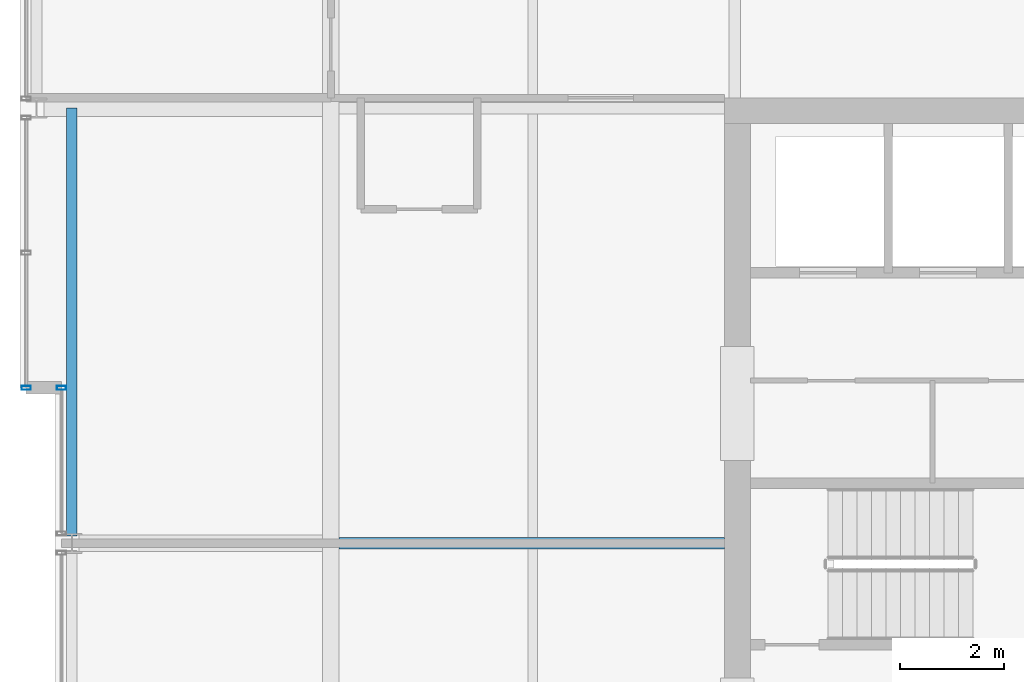
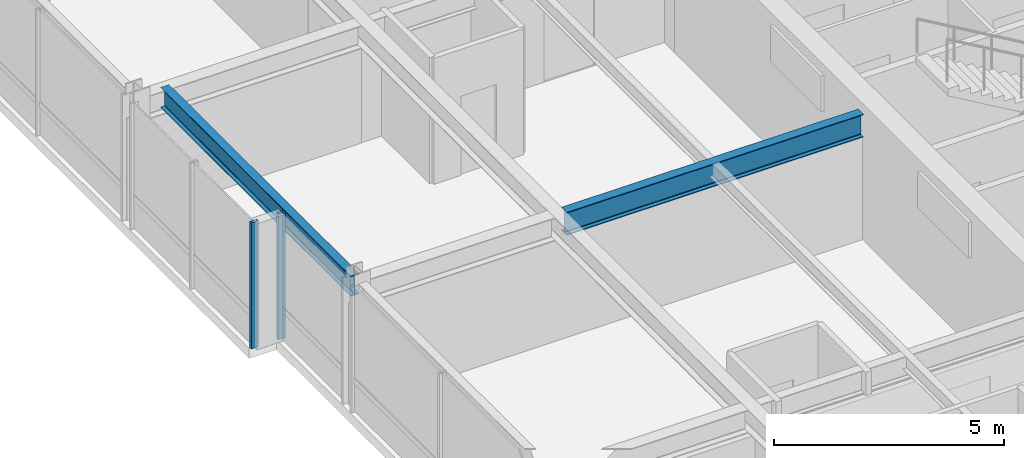
# One storey, part 11 of 34: 2 beams, 2 members, 2 elements without a shape of their own.
"""IFC4 building model written with IfcOpenShell, lengths in metres."""

from ifc_helpers import new_model, si_unit, direction, frame, origin, origin_2d, place, context, subcontext, project, spatial, hollow_rectangle, i_section, extrude, material, layer, layer_set, material_profile, profile_set, type_object, element, aggregate, save


model = new_model("IFC4")

# Units and contexts
model_context = context("Model", 3, precision=1e-05, world=origin(), true_north=direction((0.0, 1.0)))
body_context = subcontext(model_context, "Body", "Model", "MODEL_VIEW")
ifc_project = project(units=[si_unit("LENGTHUNIT", "METRE"), si_unit("AREAUNIT", "SQUARE_METRE"), si_unit("VOLUMEUNIT", "CUBIC_METRE"), si_unit("PLANEANGLEUNIT", "RADIAN"), si_unit("MASSUNIT", "GRAM", prefix="KILO")], contexts=[model_context])

# Site, building, storey
site_placement = place(None, origin())
site = spatial("IfcSite", under=ifc_project, at=site_placement, CompositionType="ELEMENT")
building_placement = place(site_placement, origin())
building = spatial("IfcBuilding", under=site, at=building_placement, Name="Drelvath Grand Hotel", CompositionType="ELEMENT")
storey_placement = place(building_placement, frame((0.0, 0.0, 208.699951171875)))
storey = spatial("IfcBuildingStorey", under=building, at=storey_placement, Name="L54", CompositionType="ELEMENT", Elevation=208.699951171875)

# Curtain wall, member
ifc_material_1 = material(Name="Platinum-Mist Anodised Aluminium Frame", Category="aluminium")
ifc_layer = layer(ifc_material_1, 0.199951171875)
ifc_layer_set = layer_set([ifc_layer], Name="Platinum-Mist Anodised Aluminium Frame")
curtain_wall_type = type_object("IfcCurtainWallType", Name="Stick Curtain Wall CW-05 Platinum Mist High-Rise", PredefinedType="NOTDEFINED", material=ifc_layer_set)
curtain_wall_1_placement = place(storey_placement, origin())
curtain_wall_1 = element("IfcCurtainWall", 1, at=curtain_wall_1_placement, inside=storey, type_object=curtain_wall_type, Name="L54 CW-05 Curtain Wall CW05-L54-WM2", PredefinedType="NOTDEFINED")
ifc_material_profile_1 = material_profile(ifc_material_1, hollow_rectangle(XDim=0.074951171875, YDim=0.179931640625, WallThickness=0.0048828125, at=origin_2d()), Name="HSS180X75X5")
ifc_profile_set_1 = profile_set([ifc_material_profile_1], Name="Platinum-Mist Anodised Aluminium Frame")
member_type = type_object("IfcMemberType", Name="Curtain Wall Vertical Mullion CW-05 HSS180X75X5", PredefinedType="MULLION", material=ifc_profile_set_1)
member_1_placement = place(storey_placement, frame((-21.39990234375, 30.0, 0.0), z_axis=(0.0, 0.0, 1.0), x_axis=(0.0, 1.0, 0.0)))
member_1 = element("IfcMember", 2, at=member_1_placement, type_object=member_type, Name="CW05-L54-WM2 Mullion 2", PredefinedType="MULLION", context=body_context, shape_type="SweptSolid", body=[
    extrude(hollow_rectangle(XDim=0.074951171875, YDim=0.179931640625, WallThickness=0.0048828125, at=origin_2d()), origin(), (0.0, 0.0, 1.0), 3.340087890625),
])
aggregate(curtain_wall_1, [member_1])

curtain_wall_2_placement = place(storey_placement, origin())
curtain_wall_2 = element("IfcCurtainWall", 3, at=curtain_wall_2_placement, inside=storey, type_object=curtain_wall_type, Name="L54 CW-05 Curtain Wall CW05-L54-WN1", PredefinedType="NOTDEFINED")
member_2_placement = place(storey_placement, frame((-22.080078125, 30.0, 0.0), z_axis=(0.0, 0.0, 1.0), x_axis=(0.0, 1.0, 0.0)))
member_2 = element("IfcMember", 4, at=member_2_placement, type_object=member_type, Name="CW05-L54-WN1 Mullion 1", PredefinedType="MULLION", context=body_context, shape_type="SweptSolid", body=[
    extrude(hollow_rectangle(XDim=0.074951171875, YDim=0.179931640625, WallThickness=0.0048828125, at=origin_2d()), origin(), (0.0, 0.0, 1.0), 3.340087890625),
])
aggregate(curtain_wall_2, [member_2])

# Beams
ifc_material_2 = material(Name="Steel ASTM A992 Gr 50", Category="steel")
ifc_material_profile_2 = material_profile(ifc_material_2, i_section(OverallWidth=0.210205078125, OverallDepth=0.53662109375, WebThickness=0.010986328125, FlangeThickness=0.017333984375, FilletRadius=0.01806640625, at=origin_2d()), Name="W21X68")
ifc_profile_set_2 = profile_set([ifc_material_profile_2], Name="Steel ASTM A992 Gr 50")
beam_type_1 = type_object("IfcBeamType", Name="Perimeter Spandrel Beam W21X68", PredefinedType="SPANDREL", material=ifc_profile_set_2)
beam_1_placement = place(storey_placement, frame((-21.199951171875, 27.139892578125, 3.071533203125), z_axis=(0.0, 1.0, 0.0), x_axis=(-1.0, 0.0, 0.0)))
element("IfcBeam", 5, at=beam_1_placement, inside=storey, type_object=beam_type_1, Name="L54 Spandrel West Mid N", PredefinedType="SPANDREL", context=body_context, shape_type="SweptSolid", body=[
    extrude(i_section(OverallWidth=0.210205078125, OverallDepth=0.53662109375, WebThickness=0.010986328125, FlangeThickness=0.017333984375, FilletRadius=0.01806640625, at=origin_2d()), origin(), (0.0, 0.0, 1.0), 8.260009765625),
])
ifc_material_profile_3 = material_profile(ifc_material_2, i_section(OverallWidth=0.228271484375, OverallDepth=0.607666015625, WebThickness=0.01123046875, FlangeThickness=0.017333984375, FilletRadius=0.02001953125, at=origin_2d()), Name="W24X76")
ifc_profile_set_3 = profile_set([ifc_material_profile_3], Name="Steel ASTM A992 Gr 50")
beam_type_2 = type_object("IfcBeamType", Name="Primary Floor Girder W24X76", PredefinedType="BEAM", material=ifc_profile_set_3)
beam_2_placement = place(storey_placement, frame((-16.0380859375, 27.0, 3.0361328125), z_axis=(1.0, 0.0, 0.0), x_axis=(0.0, 1.0, 0.0)))
element("IfcBeam", 6, at=beam_2_placement, inside=storey, type_object=beam_type_2, Name="L54 West Core Tie E", PredefinedType="BEAM", context=body_context, shape_type="SweptSolid", body=[
    extrude(i_section(OverallWidth=0.228271484375, OverallDepth=0.607666015625, WebThickness=0.01123046875, FlangeThickness=0.017333984375, FilletRadius=0.02001953125, at=origin_2d()), origin(), (0.0, 0.0, 1.0), 7.43798828125),
])

save(model, "model.ifc")
